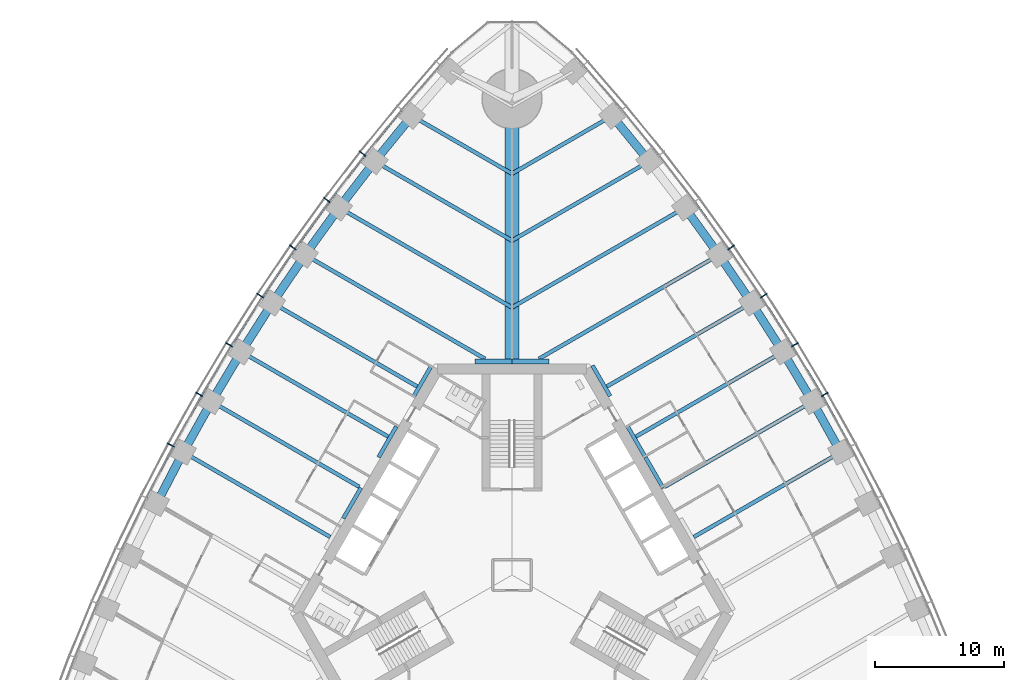
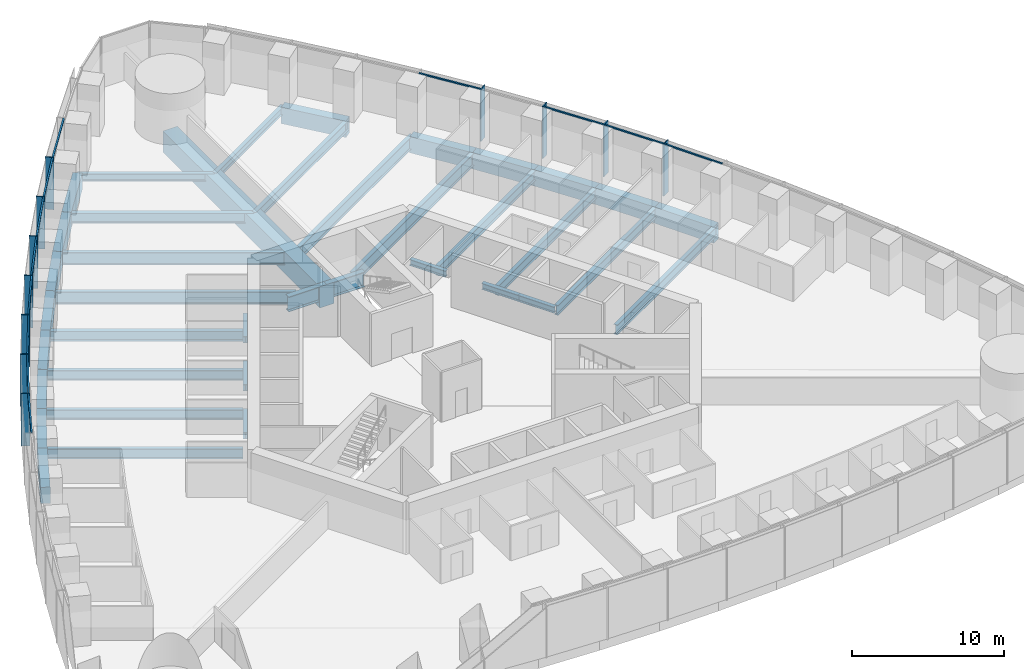
# One storey, part 4 of 19: 39 beams, 23 members, 2 elements without a shape of their own.
"""IFC4 building model written with IfcOpenShell, lengths in metres."""

from ifc_helpers import new_model, si_unit, direction, frame, origin, origin_2d, place, context, subcontext, project, spatial, rectangle, i_section, extrude, material, material_profile, profile_set, type_object, element, aggregate, save


model = new_model("IFC4")

# Units and contexts
model_context = context("Model", 3, precision=1e-05, world=origin(), true_north=direction((0.0, 1.0)))
body_context = subcontext(model_context, "Body", "Model", "MODEL_VIEW")
ifc_project = project(units=[si_unit("LENGTHUNIT", "METRE"), si_unit("AREAUNIT", "SQUARE_METRE"), si_unit("VOLUMEUNIT", "CUBIC_METRE"), si_unit("PLANEANGLEUNIT", "RADIAN"), si_unit("MASSUNIT", "GRAM", prefix="KILO")], contexts=[model_context])

# Site, building, storey
site_placement = place(None, origin())
site = spatial("IfcSite", under=ifc_project, at=site_placement, CompositionType="ELEMENT")
building_placement = place(site_placement, origin())
building = spatial("IfcBuilding", under=site, at=building_placement, Name="Trefoil Bronze Tower", CompositionType="ELEMENT")
storey_placement = place(building_placement, frame((0.0, 0.0, 45.89990234375)))
storey = spatial("IfcBuildingStorey", under=building, at=storey_placement, Name="L10", CompositionType="ELEMENT", Elevation=45.89990234375)

# Curtain wall, members
ifc_material_1 = material(Name="Tinted solar-control glass", Category="glass")
curtain_wall_type = type_object("IfcCurtainWallType", Name="Bronze office curtain wall", PredefinedType="USERDEFINED", material=ifc_material_1)
curtain_wall_1_placement = place(storey_placement, origin())
curtain_wall_1 = element("IfcCurtainWall", 1, at=curtain_wall_1_placement, inside=storey, type_object=curtain_wall_type, Name="CW-A L10 F2", ObjectType="CURTAIN WALL", PredefinedType="USERDEFINED")
ifc_material_2 = material(Name="Bronze-finish aluminium", Category="aluminium")
ifc_material_profile_1 = material_profile(ifc_material_2, rectangle(XDim=0.60009765625, YDim=0.080078125, at=origin_2d()), Name="CW-A mullion")
ifc_profile_set_1 = profile_set([ifc_material_profile_1], Name="Bronze-finish aluminium")
member_type_1 = type_object("IfcMemberType", Name="Bronze office curtain wall mullion", PredefinedType="MULLION", material=ifc_profile_set_1)
member_1_placement = place(storey_placement, frame((24.291015625, 14.0244140625, 0.0), z_axis=(0.0, 0.0, 1.0), x_axis=(-0.866025403784, -0.5, 0.0)))
member_1 = element("IfcMember", 2, at=member_1_placement, type_object=member_type_1, Name="CW-A L10 F2 mullion 9", PredefinedType="MULLION", context=body_context, shape_type="SweptSolid", body=[
    extrude(rectangle(XDim=0.60009765625, YDim=0.080078125, at=origin_2d()), origin(), (0.0, 0.0, 1.0), 4.18017578125),
])
member_2_placement = place(storey_placement, frame((21.97998046875, 17.896240234375, 0.0), z_axis=(0.0, 0.0, 1.0), x_axis=(-0.851149783004, -0.524922896141, 0.0)))
member_2 = element("IfcMember", 3, at=member_2_placement, type_object=member_type_1, Name="CW-A L10 F2 mullion 10", PredefinedType="MULLION", context=body_context, shape_type="SweptSolid", body=[
    extrude(rectangle(XDim=0.60009765625, YDim=0.080078125, at=origin_2d()), origin(), (0.0, 0.0, 1.0), 4.18017578125),
])
member_3_placement = place(storey_placement, frame((19.555419921875, 21.70263671875, 0.0), z_axis=(0.0, 0.0, 1.0), x_axis=(-0.835543651684, -0.549424067665, 0.0)))
member_3 = element("IfcMember", 4, at=member_3_placement, type_object=member_type_1, Name="CW-A L10 F2 mullion 11", PredefinedType="MULLION", context=body_context, shape_type="SweptSolid", body=[
    extrude(rectangle(XDim=0.60009765625, YDim=0.080078125, at=origin_2d()), origin(), (0.0, 0.0, 1.0), 4.18017578125),
])
member_4_placement = place(storey_placement, frame((17.01708984375, 25.443359375, 0.0), z_axis=(0.0, 0.0, 1.0), x_axis=(-0.819204207116, -0.573501932903, 0.0)))
member_4 = element("IfcMember", 5, at=member_4_placement, type_object=member_type_1, Name="CW-A L10 F2 mullion 12", PredefinedType="MULLION", context=body_context, shape_type="SweptSolid", body=[
    extrude(rectangle(XDim=0.60009765625, YDim=0.080078125, at=origin_2d()), origin(), (0.0, 0.0, 1.0), 4.18017578125),
])

curtain_wall_2_placement = place(storey_placement, origin())
curtain_wall_2 = element("IfcCurtainWall", 6, at=curtain_wall_2_placement, inside=storey, type_object=curtain_wall_type, Name="CW-A L10 F3", ObjectType="CURTAIN WALL", PredefinedType="USERDEFINED")
member_5_placement = place(storey_placement, frame((-11.595458984375, 32.7255859375, 0.0), z_axis=(0.0, 0.0, 1.0), x_axis=(0.784304615744, -0.620375910011, 0.0)))
member_5 = element("IfcMember", 7, at=member_5_placement, type_object=member_type_1, Name="CW-A L10 F3 mullion 4", PredefinedType="MULLION", context=body_context, shape_type="SweptSolid", body=[
    extrude(rectangle(XDim=0.60009765625, YDim=0.080078125, at=origin_2d()), origin(), (0.0, 0.0, 1.0), 4.18017578125),
])
member_6_placement = place(storey_placement, frame((-14.364013671875, 29.117919921875, 0.0), z_axis=(0.0, 0.0, 1.0), x_axis=(0.802126748469, -0.59715381552, 0.0)))
member_6 = element("IfcMember", 8, at=member_6_placement, type_object=member_type_1, Name="CW-A L10 F3 mullion 5", PredefinedType="MULLION", context=body_context, shape_type="SweptSolid", body=[
    extrude(rectangle(XDim=0.60009765625, YDim=0.080078125, at=origin_2d()), origin(), (0.0, 0.0, 1.0), 4.18017578125),
])
member_7_placement = place(storey_placement, frame((-17.01708984375, 25.443359375, 0.0), z_axis=(0.0, 0.0, 1.0), x_axis=(0.819204207116, -0.573501932903, 0.0)))
member_7 = element("IfcMember", 9, at=member_7_placement, type_object=member_type_1, Name="CW-A L10 F3 mullion 6", PredefinedType="MULLION", context=body_context, shape_type="SweptSolid", body=[
    extrude(rectangle(XDim=0.60009765625, YDim=0.080078125, at=origin_2d()), origin(), (0.0, 0.0, 1.0), 4.18017578125),
])
member_8_placement = place(storey_placement, frame((-19.555419921875, 21.70263671875, 0.0), z_axis=(0.0, 0.0, 1.0), x_axis=(0.835543651684, -0.549424067665, 0.0)))
member_8 = element("IfcMember", 10, at=member_8_placement, type_object=member_type_1, Name="CW-A L10 F3 mullion 7", PredefinedType="MULLION", context=body_context, shape_type="SweptSolid", body=[
    extrude(rectangle(XDim=0.60009765625, YDim=0.080078125, at=origin_2d()), origin(), (0.0, 0.0, 1.0), 4.18017578125),
])
member_9_placement = place(storey_placement, frame((-21.97998046875, 17.896240234375, 0.0), z_axis=(0.0, 0.0, 1.0), x_axis=(0.851149783004, -0.524922896141, 0.0)))
member_9 = element("IfcMember", 11, at=member_9_placement, type_object=member_type_1, Name="CW-A L10 F3 mullion 8", PredefinedType="MULLION", context=body_context, shape_type="SweptSolid", body=[
    extrude(rectangle(XDim=0.60009765625, YDim=0.080078125, at=origin_2d()), origin(), (0.0, 0.0, 1.0), 4.18017578125),
])
member_10_placement = place(storey_placement, frame((-24.291015625, 14.0244140625, 0.0), z_axis=(0.0, 0.0, 1.0), x_axis=(0.866025403784, -0.5, 0.0)))
member_10 = element("IfcMember", 12, at=member_10_placement, type_object=member_type_1, Name="CW-A L10 F3 mullion 9", PredefinedType="MULLION", context=body_context, shape_type="SweptSolid", body=[
    extrude(rectangle(XDim=0.60009765625, YDim=0.080078125, at=origin_2d()), origin(), (0.0, 0.0, 1.0), 4.18017578125),
])
member_11_placement = place(storey_placement, frame((-26.488525390625, 10.0869140625, 0.0), z_axis=(0.0, 0.0, 1.0), x_axis=(0.880171454588, -0.474655886437, 0.0)))
member_11 = element("IfcMember", 13, at=member_11_placement, type_object=member_type_1, Name="CW-A L10 F3 mullion 10", PredefinedType="MULLION", context=body_context, shape_type="SweptSolid", body=[
    extrude(rectangle(XDim=0.60009765625, YDim=0.080078125, at=origin_2d()), origin(), (0.0, 0.0, 1.0), 4.18017578125),
])

# Member
ifc_material_3 = material(Name="Bronze-finish aluminium", Category="aluminium")
ifc_material_profile_2 = material_profile(ifc_material_3, rectangle(XDim=0.1201171875, YDim=0.10009765625, at=origin_2d()), Name="CW-A transom")
ifc_profile_set_2 = profile_set([ifc_material_profile_2], Name="Bronze-finish aluminium")
member_type_2 = type_object("IfcMemberType", Name="Bronze office curtain wall transom", PredefinedType="USERDEFINED", material=ifc_profile_set_2)
member_12_placement = place(storey_placement, frame((26.29248046875, 10.0283203125, 4.130126953125), z_axis=(-0.487400435348, 0.873178570295, 0.0), x_axis=(-0.873178570295, -0.487400435348, 0.0)))
member_12 = element("IfcMember", 14, at=member_12_placement, type_object=member_type_2, Name="CW-A L10 F2 transom 8", ObjectType="TRANSOM", PredefinedType="USERDEFINED", context=body_context, shape_type="SweptSolid", body=[
    extrude(rectangle(XDim=0.1201171875, YDim=0.10009765625, at=origin_2d()), origin(), (0.0, 0.0, 1.0), 4.42041015625),
])

member_13_placement = place(storey_placement, frame((24.096435546875, 13.9599609375, 4.130126953125), z_axis=(-0.512536988879, 0.858665147209, 0.0), x_axis=(-0.858665147209, -0.512536988879, 0.0)))
member_13 = element("IfcMember", 15, at=member_13_placement, type_object=member_type_2, Name="CW-A L10 F2 transom 9", ObjectType="TRANSOM", PredefinedType="USERDEFINED", context=body_context, shape_type="SweptSolid", body=[
    extrude(rectangle(XDim=0.1201171875, YDim=0.10009765625, at=origin_2d()), origin(), (0.0, 0.0, 1.0), 4.42041015625),
])

member_14_placement = place(storey_placement, frame((21.787353515625, 17.826171875, 4.130126953125), z_axis=(-0.537196807268, 0.843456928515, 0.0), x_axis=(-0.843456928515, -0.537196807268, 0.0)))
member_14 = element("IfcMember", 16, at=member_14_placement, type_object=member_type_2, Name="CW-A L10 F2 transom 10", ObjectType="TRANSOM", PredefinedType="USERDEFINED", context=body_context, shape_type="SweptSolid", body=[
    extrude(rectangle(XDim=0.1201171875, YDim=0.10009765625, at=origin_2d()), origin(), (0.0, 0.0, 1.0), 4.42431640625),
])

member_15_placement = place(storey_placement, frame((16.828857421875, 25.3623046875, 4.130126953125), z_axis=(-0.585378207433, 0.81076035563, 0.0), x_axis=(-0.81076035563, -0.585378207433, 0.0)))
member_15 = element("IfcMember", 17, at=member_15_placement, type_object=member_type_2, Name="CW-A L10 F2 transom 12", ObjectType="TRANSOM", PredefinedType="USERDEFINED", context=body_context, shape_type="SweptSolid", body=[
    extrude(rectangle(XDim=0.1201171875, YDim=0.10009765625, at=origin_2d()), origin(), (0.0, 0.0, 1.0), 4.443359375),
])

aggregate(curtain_wall_1, [member_1, member_2, member_3, member_4, member_12, member_13, member_14, member_15])

member_16_placement = place(storey_placement, frame((-8.582763671875, 36.10498046875, 4.130126953125), z_axis=(-0.631835540201, -0.775102477185, 0.0), x_axis=(0.775102477185, -0.631835540201, 0.0)))
member_16 = element("IfcMember", 18, at=member_16_placement, type_object=member_type_2, Name="CW-A L10 F3 transom 3", ObjectType="TRANSOM", PredefinedType="USERDEFINED", context=body_context, shape_type="SweptSolid", body=[
    extrude(rectangle(XDim=0.1201171875, YDim=0.10009765625, at=origin_2d()), origin(), (0.0, 0.0, 1.0), 4.478271484375),
])

member_17_placement = place(storey_placement, frame((-11.4638671875, 32.568603515625, 4.130126953125), z_axis=(-0.608829203216, -0.793301330713, 0.0), x_axis=(0.793301330713, -0.608829203216, 0.0)))
member_17 = element("IfcMember", 19, at=member_17_placement, type_object=member_type_2, Name="CW-A L10 F3 transom 4", ObjectType="TRANSOM", PredefinedType="USERDEFINED", context=body_context, shape_type="SweptSolid", body=[
    extrude(rectangle(XDim=0.1201171875, YDim=0.10009765625, at=origin_2d()), origin(), (0.0, 0.0, 1.0), 4.458740234375),
])

member_18_placement = place(storey_placement, frame((-14.227783203125, 28.96484375, 4.130126953125), z_axis=(-0.585378207433, -0.81076035563, 0.0), x_axis=(0.81076035563, -0.585378207433, 0.0)))
member_18 = element("IfcMember", 20, at=member_18_placement, type_object=member_type_2, Name="CW-A L10 F3 transom 5", ObjectType="TRANSOM", PredefinedType="USERDEFINED", context=body_context, shape_type="SweptSolid", body=[
    extrude(rectangle(XDim=0.1201171875, YDim=0.10009765625, at=origin_2d()), origin(), (0.0, 0.0, 1.0), 4.443359375),
])

member_19_placement = place(storey_placement, frame((-16.87646484375, 25.29443359375, 4.130126953125), z_axis=(-0.561508153923, -0.827471203775, 0.0), x_axis=(0.827471203775, -0.561508153923, 0.0)))
member_19 = element("IfcMember", 21, at=member_19_placement, type_object=member_type_2, Name="CW-A L10 F3 transom 6", ObjectType="TRANSOM", PredefinedType="USERDEFINED", context=body_context, shape_type="SweptSolid", body=[
    extrude(rectangle(XDim=0.1201171875, YDim=0.10009765625, at=origin_2d()), origin(), (0.0, 0.0, 1.0), 4.431884765625),
])

member_20_placement = place(storey_placement, frame((-19.41064453125, 21.557861328125, 4.130126953125), z_axis=(-0.537196807268, -0.843456928515, 0.0), x_axis=(0.843456928515, -0.537196807268, 0.0)))
member_20 = element("IfcMember", 22, at=member_20_placement, type_object=member_type_2, Name="CW-A L10 F3 transom 7", ObjectType="TRANSOM", PredefinedType="USERDEFINED", context=body_context, shape_type="SweptSolid", body=[
    extrude(rectangle(XDim=0.1201171875, YDim=0.10009765625, at=origin_2d()), origin(), (0.0, 0.0, 1.0), 4.42431640625),
])

member_21_placement = place(storey_placement, frame((-21.830810546875, 17.755615234375, 4.130126953125), z_axis=(-0.512536988879, -0.858665147209, 0.0), x_axis=(0.858665147209, -0.512536988879, 0.0)))
member_21 = element("IfcMember", 23, at=member_21_placement, type_object=member_type_2, Name="CW-A L10 F3 transom 8", ObjectType="TRANSOM", PredefinedType="USERDEFINED", context=body_context, shape_type="SweptSolid", body=[
    extrude(rectangle(XDim=0.1201171875, YDim=0.10009765625, at=origin_2d()), origin(), (0.0, 0.0, 1.0), 4.42041015625),
])

member_22_placement = place(storey_placement, frame((-24.137939453125, 13.88818359375, 4.130126953125), z_axis=(-0.487400435348, -0.873178570295, 0.0), x_axis=(0.873178570295, -0.487400435348, 0.0)))
member_22 = element("IfcMember", 24, at=member_22_placement, type_object=member_type_2, Name="CW-A L10 F3 transom 9", ObjectType="TRANSOM", PredefinedType="USERDEFINED", context=body_context, shape_type="SweptSolid", body=[
    extrude(rectangle(XDim=0.1201171875, YDim=0.10009765625, at=origin_2d()), origin(), (0.0, 0.0, 1.0), 4.42041015625),
])

member_23_placement = place(storey_placement, frame((-26.331787109375, 9.955322265625, 4.130126953125), z_axis=(-0.461809621225, -0.886979071762, 0.0), x_axis=(0.886979071762, -0.461809621225, 0.0)))
member_23 = element("IfcMember", 25, at=member_23_placement, type_object=member_type_2, Name="CW-A L10 F3 transom 10", ObjectType="TRANSOM", PredefinedType="USERDEFINED", context=body_context, shape_type="SweptSolid", body=[
    extrude(rectangle(XDim=0.1201171875, YDim=0.10009765625, at=origin_2d()), origin(), (0.0, 0.0, 1.0), 4.42431640625),
])

aggregate(curtain_wall_2, [member_5, member_6, member_7, member_8, member_9, member_10, member_11, member_16, member_17, member_18, member_19, member_20, member_21, member_22, member_23])

# Beams
ifc_material_4 = material(Name="Steel C355", Category="steel")
ifc_material_profile_3 = material_profile(ifc_material_4, i_section(OverallWidth=0.300048828125, OverallDepth=0.5, WebThickness=0.014404296875, FlangeThickness=0.028076171875, FilletRadius=0.027099609375, at=origin_2d()), Name="HEB 500")
ifc_profile_set_3 = profile_set([ifc_material_profile_3], Name="Steel C355")
beam_type_1 = type_object("IfcBeamType", Name="Core seat beam HEB 500", PredefinedType="BEAM", material=ifc_profile_set_3)
for number, where, z_axis, x_axis, name in (
    (26, (11.734619140625, 6.77490234375, -0.449951171875), (-0.499969057507, 0.866043267704, 0.0), (-0.866043267704, -0.499969057507, 0.0), "Core seat beam F2/+0 L10"),
    (27, (10.363525390625, 9.14990234375, -0.449951171875), (-0.500035825175, 0.866004719122, 0.0), (-0.866004719122, -0.500035825175, 0.0), "Core seat beam F2/+1 L10"),
    (28, (7.62109375, 13.89990234375, -0.449951171875), (-0.500035825175, 0.866004719122, 0.0), (-0.866004719122, -0.500035825175, 0.0), "Core seat beam F2/+2 L10"),
    (29, (-6.249755859375, 16.27490234375, -0.449951171875), (-0.500035825175, -0.866004719122, 0.0), (0.866004719122, -0.500035825175, 0.0), "Core seat beam F3/-2 L10"),
    (30, (-8.9921875, 11.52490234375, -0.449951171875), (-0.500035825175, -0.866004719122, 0.0), (0.866004719122, -0.500035825175, 0.0), "Core seat beam F3/-1 L10"),
    (31, (-11.734619140625, 6.77490234375, -0.449951171875), (-0.500035825175, -0.866004719122, 0.0), (0.866004719122, -0.500035825175, 0.0), "Core seat beam F3/+0 L10"),
):
    element("IfcBeam", number, at=place(storey_placement, frame(where, z_axis=z_axis, x_axis=x_axis)), inside=storey, type_object=beam_type_1, Name=name, PredefinedType="BEAM", context=body_context, shape_type="SweptSolid", body=[
        extrude(i_section(OverallWidth=0.300048828125, OverallDepth=0.5, WebThickness=0.014404296875, FlangeThickness=0.028076171875, FilletRadius=0.027099609375, at=origin_2d()), origin(), (0.0, 0.0, 1.0), 2.742431640625),
    ])
ifc_material_5 = material(Name="Steel C355", Category="steel")
ifc_material_profile_4 = material_profile(ifc_material_5, i_section(OverallWidth=0.39990234375, OverallDepth=1.199951171875, WebThickness=0.02001953125, FlangeThickness=0.0400390625, FilletRadius=0.010009765625, at=origin_2d()), Name="WPG 1200")
ifc_profile_set_4 = profile_set([ifc_material_profile_4], Name="Steel C355")
beam_type_2 = type_object("IfcBeamType", Name="Core seat beam WPG 1200", PredefinedType="BEAM", material=ifc_profile_set_4)
for number, where, z_axis, x_axis, name in (
    (32, (2.88671875, 16.60009765625, -0.7998046875), (-1.0, 0.0, 0.0), (0.0, -1.0, 0.0), "Core seat beam F2/+3 L10"),
    (33, (0.0, 16.60009765625, -0.7998046875), (-1.0, 0.0, 0.0), (0.0, -1.0, 0.0), "Core seat beam F3/-3 L10"),
):
    element("IfcBeam", number, at=place(storey_placement, frame(where, z_axis=z_axis, x_axis=x_axis)), inside=storey, type_object=beam_type_2, Name=name, PredefinedType="BEAM", context=body_context, shape_type="SweptSolid", body=[
        extrude(i_section(OverallWidth=0.39990234375, OverallDepth=1.199951171875, WebThickness=0.02001953125, FlangeThickness=0.0400390625, FilletRadius=0.010009765625, at=origin_2d()), origin(), (0.0, 0.0, 1.0), 2.88671875),
    ])
ifc_material_6 = material(Name="Concrete B80", Category="concrete")
ifc_material_profile_5 = material_profile(ifc_material_6, rectangle(XDim=1.10009765625, YDim=1.699951171875, at=origin_2d()), Name="RC 1100x1700")
ifc_profile_set_5 = profile_set([ifc_material_profile_5], Name="Concrete B80")
beam_type_3 = type_object("IfcBeamType", Name="Corner girder RC 1100x1700", PredefinedType="BEAM", material=ifc_profile_set_5)
beam_1_placement = place(storey_placement, frame((0.0, 16.39990234375, -1.0498046875), z_axis=(0.0, 1.0, 0.0), x_axis=(-1.0, 0.0, 0.0)))
element("IfcBeam", 34, at=beam_1_placement, inside=storey, type_object=beam_type_3, Name="Corner girder K2 L10", PredefinedType="BEAM", context=body_context, shape_type="SweptSolid", body=[
    extrude(rectangle(XDim=1.10009765625, YDim=1.699951171875, at=origin_2d()), origin(), (0.0, 0.0, 1.0), 20.60009765625),
])
ifc_material_7 = material(Name="Steel C355", Category="steel")
ifc_material_profile_6 = material_profile(ifc_material_7, i_section(OverallWidth=0.300048828125, OverallDepth=0.590087890625, WebThickness=0.012939453125, FlangeThickness=0.02490234375, FilletRadius=0.027099609375, at=origin_2d()), Name="HEA 600")
ifc_profile_set_6 = profile_set([ifc_material_profile_6], Name="Steel C355")
beam_type_4 = type_object("IfcBeamType", Name="Floor beam HEA 600", PredefinedType="BEAM", material=ifc_profile_set_6)
for number, where, z_axis, x_axis, name in (
    (35, (7.7763671875, 35.666748046875, -0.494873046875), (-0.866022587327, -0.500004878216, 0.0), (0.500004878216, -0.866022587327, 0.0), "Floor beam F2/+6 L10"),
    (36, (-7.7763671875, 35.666748046875, -0.494873046875), (0.866022587327, -0.500004878216, 0.0), (0.500004878216, 0.866022587327, 0.0), "Floor beam F3/-6 L10"),
):
    element("IfcBeam", number, at=place(storey_placement, frame(where, z_axis=z_axis, x_axis=x_axis)), inside=storey, type_object=beam_type_4, Name=name, PredefinedType="BEAM", context=body_context, shape_type="SweptSolid", body=[
        extrude(i_section(OverallWidth=0.300048828125, OverallDepth=0.590087890625, WebThickness=0.012939453125, FlangeThickness=0.02490234375, FilletRadius=0.027099609375, at=origin_2d()), origin(), (0.0, 0.0, 1.0), 8.9794921875),
    ])
ifc_material_8 = material(Name="Steel C355", Category="steel")
ifc_material_profile_7 = material_profile(ifc_material_8, i_section(OverallWidth=0.300048828125, OverallDepth=1.0, WebThickness=0.01904296875, FlangeThickness=0.035888671875, FilletRadius=0.030029296875, at=origin_2d()), Name="HEB 1000")
ifc_profile_set_7 = profile_set([ifc_material_profile_7], Name="Steel C355")
beam_type_5 = type_object("IfcBeamType", Name="Floor beam HEB 1000", PredefinedType="BEAM", material=ifc_profile_set_7)
for number, where, z_axis, x_axis, name in (
    (37, (13.42578125, 28.5361328125, -0.699951171875), (-0.866022989816, -0.500004181093, 0.0), (0.500004181093, -0.866022989816, 0.0), "Floor beam F2/+4 L10"),
    (38, (-13.42578125, 28.5361328125, -0.699951171875), (0.866022989816, -0.500004181093, 0.0), (0.500004181093, 0.866022989816, 0.0), "Floor beam F3/-4 L10"),
):
    element("IfcBeam", number, at=place(storey_placement, frame(where, z_axis=z_axis, x_axis=x_axis)), inside=storey, type_object=beam_type_5, Name=name, PredefinedType="BEAM", context=body_context, shape_type="SweptSolid", body=[
        extrude(i_section(OverallWidth=0.300048828125, OverallDepth=1.0, WebThickness=0.01904296875, FlangeThickness=0.035888671875, FilletRadius=0.030029296875, at=origin_2d()), origin(), (0.0, 0.0, 1.0), 15.502685546875),
    ])
ifc_material_9 = material(Name="Steel C355", Category="steel")
ifc_material_profile_8 = material_profile(ifc_material_9, i_section(OverallWidth=0.300048828125, OverallDepth=0.800048828125, WebThickness=0.017578125, FlangeThickness=0.032958984375, FilletRadius=0.030029296875, at=origin_2d()), Name="HEB 800")
ifc_profile_set_8 = profile_set([ifc_material_profile_8], Name="Steel C355")
beam_type_6 = type_object("IfcBeamType", Name="Floor beam HEB 800", PredefinedType="BEAM", material=ifc_profile_set_8)
beam_2_placement = place(storey_placement, frame((25.531494140625, 9.54443359375, -0.599853515625), z_axis=(-0.866027071639, -0.499997111179, 0.0), x_axis=(0.499997111179, -0.866027071639, 0.0)))
element("IfcBeam", 39, at=beam_2_placement, inside=storey, type_object=beam_type_6, Name="Floor beam F2/-1 L10", PredefinedType="BEAM", context=body_context, shape_type="SweptSolid", body=[
    extrude(i_section(OverallWidth=0.300048828125, OverallDepth=0.800048828125, WebThickness=0.017578125, FlangeThickness=0.032958984375, FilletRadius=0.030029296875, at=origin_2d()), origin(), (0.0, 0.0, 1.0), 13.18310546875),
])
beam_3_placement = place(storey_placement, frame((23.33837890625, 13.474365234375, -0.599853515625), z_axis=(-0.866031233401, -0.499989902672, 0.0), x_axis=(0.499989902672, -0.866031233401, 0.0)))
element("IfcBeam", 40, at=beam_3_placement, inside=storey, type_object=beam_type_6, Name="Floor beam F2/+0 L10", PredefinedType="BEAM", context=body_context, shape_type="SweptSolid", body=[
    extrude(i_section(OverallWidth=0.300048828125, OverallDepth=0.800048828125, WebThickness=0.017578125, FlangeThickness=0.032958984375, FilletRadius=0.030029296875, at=origin_2d()), origin(), (0.0, 0.0, 1.0), 13.248779296875),
])
beam_4_placement = place(storey_placement, frame((21.031494140625, 17.338623046875, -0.599853515625), z_axis=(-0.866027071639, -0.499997111179, 0.0), x_axis=(0.499997111179, -0.866027071639, 0.0)))
element("IfcBeam", 41, at=beam_4_placement, inside=storey, type_object=beam_type_6, Name="Floor beam F2/+1 L10", PredefinedType="BEAM", context=body_context, shape_type="SweptSolid", body=[
    extrude(i_section(OverallWidth=0.300048828125, OverallDepth=0.800048828125, WebThickness=0.017578125, FlangeThickness=0.032958984375, FilletRadius=0.030029296875, at=origin_2d()), origin(), (0.0, 0.0, 1.0), 13.18310546875),
])
beam_5_placement = place(storey_placement, frame((18.61083984375, 21.13720703125, -0.599853515625), z_axis=(-0.866030615021, -0.499990973765, 0.0), x_axis=(0.499990973765, -0.866030615021, 0.0)))
element("IfcBeam", 42, at=beam_5_placement, inside=storey, type_object=beam_type_6, Name="Floor beam F2/+2 L10", PredefinedType="BEAM", context=body_context, shape_type="SweptSolid", body=[
    extrude(i_section(OverallWidth=0.300048828125, OverallDepth=0.800048828125, WebThickness=0.017578125, FlangeThickness=0.032958984375, FilletRadius=0.030029296875, at=origin_2d()), origin(), (0.0, 0.0, 1.0), 12.986083984375),
])
for number, where, z_axis, x_axis, name in (
    (43, (10.659912109375, 32.13525390625, -0.599853515625), (-0.866024070878, -0.500002308654, 0.0), (0.500002308654, -0.866024070878, 0.0), "Floor beam F2/+5 L10"),
    (44, (-10.659912109375, 32.13525390625, -0.599853515625), (0.866024070878, -0.500002308654, 0.0), (0.500002308654, 0.866024070878, 0.0), "Floor beam F3/-5 L10"),
):
    element("IfcBeam", number, at=place(storey_placement, frame(where, z_axis=z_axis, x_axis=x_axis)), inside=storey, type_object=beam_type_6, Name=name, PredefinedType="BEAM", context=body_context, shape_type="SweptSolid", body=[
        extrude(i_section(OverallWidth=0.300048828125, OverallDepth=0.800048828125, WebThickness=0.017578125, FlangeThickness=0.032958984375, FilletRadius=0.030029296875, at=origin_2d()), origin(), (0.0, 0.0, 1.0), 12.30908203125),
    ])
beam_6_placement = place(storey_placement, frame((-18.61083984375, 21.13720703125, -0.599853515625), z_axis=(0.866030615021, -0.499990973765, 0.0), x_axis=(0.499990973765, 0.866030615021, 0.0)))
element("IfcBeam", 45, at=beam_6_placement, inside=storey, type_object=beam_type_6, Name="Floor beam F3/-2 L10", PredefinedType="BEAM", context=body_context, shape_type="SweptSolid", body=[
    extrude(i_section(OverallWidth=0.300048828125, OverallDepth=0.800048828125, WebThickness=0.017578125, FlangeThickness=0.032958984375, FilletRadius=0.030029296875, at=origin_2d()), origin(), (0.0, 0.0, 1.0), 12.986083984375),
])
beam_7_placement = place(storey_placement, frame((-21.031494140625, 17.338623046875, -0.599853515625), z_axis=(0.866027071639, -0.499997111179, 0.0), x_axis=(0.499997111179, 0.866027071639, 0.0)))
element("IfcBeam", 46, at=beam_7_placement, inside=storey, type_object=beam_type_6, Name="Floor beam F3/-1 L10", PredefinedType="BEAM", context=body_context, shape_type="SweptSolid", body=[
    extrude(i_section(OverallWidth=0.300048828125, OverallDepth=0.800048828125, WebThickness=0.017578125, FlangeThickness=0.032958984375, FilletRadius=0.030029296875, at=origin_2d()), origin(), (0.0, 0.0, 1.0), 13.18310546875),
])
beam_8_placement = place(storey_placement, frame((-23.33837890625, 13.474365234375, -0.599853515625), z_axis=(0.866031233401, -0.499989902672, 0.0), x_axis=(0.499989902672, 0.866031233401, 0.0)))
element("IfcBeam", 47, at=beam_8_placement, inside=storey, type_object=beam_type_6, Name="Floor beam F3/+0 L10", PredefinedType="BEAM", context=body_context, shape_type="SweptSolid", body=[
    extrude(i_section(OverallWidth=0.300048828125, OverallDepth=0.800048828125, WebThickness=0.017578125, FlangeThickness=0.032958984375, FilletRadius=0.030029296875, at=origin_2d()), origin(), (0.0, 0.0, 1.0), 13.248779296875),
])
beam_9_placement = place(storey_placement, frame((-25.531494140625, 9.54443359375, -0.599853515625), z_axis=(0.866027071639, -0.499997111179, 0.0), x_axis=(0.499997111179, 0.866027071639, 0.0)))
element("IfcBeam", 48, at=beam_9_placement, inside=storey, type_object=beam_type_6, Name="Floor beam F3/+1 L10", PredefinedType="BEAM", context=body_context, shape_type="SweptSolid", body=[
    extrude(i_section(OverallWidth=0.300048828125, OverallDepth=0.800048828125, WebThickness=0.017578125, FlangeThickness=0.032958984375, FilletRadius=0.030029296875, at=origin_2d()), origin(), (0.0, 0.0, 1.0), 13.18310546875),
])
ifc_material_10 = material(Name="Steel C355", Category="steel")
ifc_material_profile_9 = material_profile(ifc_material_10, i_section(OverallWidth=0.302001953125, OverallDepth=1.008056640625, WebThickness=0.02099609375, FlangeThickness=0.0400390625, FilletRadius=0.030029296875, at=origin_2d()), Name="HEM 1000")
ifc_profile_set_9 = profile_set([ifc_material_profile_9], Name="Steel C355")
beam_type_7 = type_object("IfcBeamType", Name="Floor beam HEM 1000", PredefinedType="BEAM", material=ifc_profile_set_9)
for number, where, z_axis, x_axis, name in (
    (49, (16.075927734375, 24.869873046875, -0.703857421875), (-0.866028401131, -0.499994808408, 0.0), (0.499994808408, -0.866028401131, 0.0), "Floor beam F2/+3 L10"),
    (50, (-16.075927734375, 24.869873046875, -0.703857421875), (0.866028401131, -0.499994808408, 0.0), (0.499994808408, 0.866028401131, 0.0), "Floor beam F3/-3 L10"),
):
    element("IfcBeam", number, at=place(storey_placement, frame(where, z_axis=z_axis, x_axis=x_axis)), inside=storey, type_object=beam_type_7, Name=name, PredefinedType="BEAM", context=body_context, shape_type="SweptSolid", body=[
        extrude(i_section(OverallWidth=0.302001953125, OverallDepth=1.008056640625, WebThickness=0.02099609375, FlangeThickness=0.0400390625, FilletRadius=0.030029296875, at=origin_2d()), origin(), (0.0, 0.0, 1.0), 16.139892578125),
    ])
ifc_material_11 = material(Name="Concrete B80", Category="concrete")
ifc_material_profile_10 = material_profile(ifc_material_11, rectangle(XDim=0.64990234375, YDim=1.300048828125, at=origin_2d()), Name="RC 650x1300")
ifc_profile_set_10 = profile_set([ifc_material_profile_10], Name="Concrete B80")
beam_type_8 = type_object("IfcBeamType", Name="Spandrel beam RC 650x1300", PredefinedType="SPANDREL", material=ifc_profile_set_10)
for number, where, z_axis, x_axis, name in (
    (51, (25.531494140625, 9.54443359375, -0.849853515625), (-0.487309404804, 0.873229376504, 0.0), (-0.873229376504, -0.487309404804, 0.0), "Spandrel F2.8 L10"),
    (52, (23.33837890625, 13.474365234375, -0.849853515625), (-0.512587831591, 0.858634797166, 0.0), (-0.858634797166, -0.512587831591, 0.0), "Spandrel F2.9 L10"),
):
    element("IfcBeam", number, at=place(storey_placement, frame(where, z_axis=z_axis, x_axis=x_axis)), inside=storey, type_object=beam_type_8, Name=name, PredefinedType="SPANDREL", context=body_context, shape_type="SweptSolid", body=[
        extrude(rectangle(XDim=0.64990234375, YDim=1.300048828125, at=origin_2d()), origin(), (0.0, 0.0, 1.0), 4.50048828125),
    ])
beam_10_placement = place(storey_placement, frame((21.031494140625, 17.338623046875, -0.849853515625), z_axis=(-0.537408473305, 0.843322081307, 0.0), x_axis=(-0.843322081307, -0.537408473305, 0.0)))
element("IfcBeam", 53, at=beam_10_placement, inside=storey, type_object=beam_type_8, Name="Spandrel F2.10 L10", PredefinedType="SPANDREL", context=body_context, shape_type="SweptSolid", body=[
    extrude(rectangle(XDim=0.64990234375, YDim=1.300048828125, at=origin_2d()), origin(), (0.0, 0.0, 1.0), 4.50439453125),
])
beam_11_placement = place(storey_placement, frame((18.61083984375, 21.13720703125, -0.849853515625), z_axis=(-0.561809680291, 0.827266512758, 0.0), x_axis=(-0.827266512758, -0.561809680291, 0.0)))
element("IfcBeam", 54, at=beam_11_placement, inside=storey, type_object=beam_type_8, Name="Spandrel F2.11 L10", PredefinedType="SPANDREL", context=body_context, shape_type="SweptSolid", body=[
    extrude(rectangle(XDim=0.64990234375, YDim=1.300048828125, at=origin_2d()), origin(), (0.0, 0.0, 1.0), 4.511962890625),
])
beam_12_placement = place(storey_placement, frame((16.075927734375, 24.869873046875, -0.849853515625), z_axis=(-0.585823508301, 0.810438657223, 0.0), x_axis=(-0.810438657223, -0.585823508301, 0.0)))
element("IfcBeam", 55, at=beam_12_placement, inside=storey, type_object=beam_type_8, Name="Spandrel F2.12 L10", PredefinedType="SPANDREL", context=body_context, shape_type="SweptSolid", body=[
    extrude(rectangle(XDim=0.64990234375, YDim=1.300048828125, at=origin_2d()), origin(), (0.0, 0.0, 1.0), 4.523681640625),
])
for number, where, z_axis, x_axis, name in (
    (56, (10.659912109375, 32.13525390625, -0.849853515625), (-0.632467643363, 0.774586780225, 0.0), (-0.774586780225, -0.632467643363, 0.0), "Spandrel F2.14 L10"),
    (57, (-7.7763671875, 35.666748046875, -0.849853515625), (-0.632467643363, -0.774586780225, 0.0), (0.774586780225, -0.632467643363, 0.0), "Spandrel F3.3 L10"),
):
    element("IfcBeam", number, at=place(storey_placement, frame(where, z_axis=z_axis, x_axis=x_axis)), inside=storey, type_object=beam_type_8, Name=name, PredefinedType="SPANDREL", context=body_context, shape_type="SweptSolid", body=[
        extrude(rectangle(XDim=0.64990234375, YDim=1.300048828125, at=origin_2d()), origin(), (0.0, 0.0, 1.0), 4.55908203125),
    ])
beam_13_placement = place(storey_placement, frame((-10.659912109375, 32.13525390625, -0.849853515625), z_axis=(-0.609338992146, -0.792909826305, 0.0), x_axis=(0.792909826305, -0.609338992146, 0.0)))
element("IfcBeam", 58, at=beam_13_placement, inside=storey, type_object=beam_type_8, Name="Spandrel F3.4 L10", PredefinedType="SPANDREL", context=body_context, shape_type="SweptSolid", body=[
    extrude(rectangle(XDim=0.64990234375, YDim=1.300048828125, at=origin_2d()), origin(), (0.0, 0.0, 1.0), 4.5390625),
])
beam_14_placement = place(storey_placement, frame((-13.42578125, 28.5361328125, -0.849853515625), z_axis=(-0.585823508301, -0.810438657223, 0.0), x_axis=(0.810438657223, -0.585823508301, 0.0)))
element("IfcBeam", 59, at=beam_14_placement, inside=storey, type_object=beam_type_8, Name="Spandrel F3.5 L10", PredefinedType="SPANDREL", context=body_context, shape_type="SweptSolid", body=[
    extrude(rectangle(XDim=0.64990234375, YDim=1.300048828125, at=origin_2d()), origin(), (0.0, 0.0, 1.0), 4.523681640625),
])
beam_15_placement = place(storey_placement, frame((-16.075927734375, 24.869873046875, -0.849853515625), z_axis=(-0.561809680291, -0.827266512758, 0.0), x_axis=(0.827266512758, -0.561809680291, 0.0)))
element("IfcBeam", 60, at=beam_15_placement, inside=storey, type_object=beam_type_8, Name="Spandrel F3.6 L10", PredefinedType="SPANDREL", context=body_context, shape_type="SweptSolid", body=[
    extrude(rectangle(XDim=0.64990234375, YDim=1.300048828125, at=origin_2d()), origin(), (0.0, 0.0, 1.0), 4.511962890625),
])
beam_16_placement = place(storey_placement, frame((-18.61083984375, 21.13720703125, -0.849853515625), z_axis=(-0.537408473305, -0.843322081307, 0.0), x_axis=(0.843322081307, -0.537408473305, 0.0)))
element("IfcBeam", 61, at=beam_16_placement, inside=storey, type_object=beam_type_8, Name="Spandrel F3.7 L10", PredefinedType="SPANDREL", context=body_context, shape_type="SweptSolid", body=[
    extrude(rectangle(XDim=0.64990234375, YDim=1.300048828125, at=origin_2d()), origin(), (0.0, 0.0, 1.0), 4.50439453125),
])
for number, where, z_axis, x_axis, name in (
    (62, (-21.031494140625, 17.338623046875, -0.849853515625), (-0.512587831591, -0.858634797166, 0.0), (0.858634797166, -0.512587831591, 0.0), "Spandrel F3.8 L10"),
    (63, (-23.33837890625, 13.474365234375, -0.849853515625), (-0.487309404804, -0.873229376504, 0.0), (0.873229376504, -0.487309404804, 0.0), "Spandrel F3.9 L10"),
):
    element("IfcBeam", number, at=place(storey_placement, frame(where, z_axis=z_axis, x_axis=x_axis)), inside=storey, type_object=beam_type_8, Name=name, PredefinedType="SPANDREL", context=body_context, shape_type="SweptSolid", body=[
        extrude(rectangle(XDim=0.64990234375, YDim=1.300048828125, at=origin_2d()), origin(), (0.0, 0.0, 1.0), 4.50048828125),
    ])
beam_17_placement = place(storey_placement, frame((-25.531494140625, 9.54443359375, -0.849853515625), z_axis=(-0.461637716615, -0.887068553495, 0.0), x_axis=(0.887068553495, -0.461637716615, 0.0)))
element("IfcBeam", 64, at=beam_17_placement, inside=storey, type_object=beam_type_8, Name="Spandrel F3.10 L10", PredefinedType="SPANDREL", context=body_context, shape_type="SweptSolid", body=[
    extrude(rectangle(XDim=0.64990234375, YDim=1.300048828125, at=origin_2d()), origin(), (0.0, 0.0, 1.0), 4.50439453125),
])

save(model, "model.ifc")
